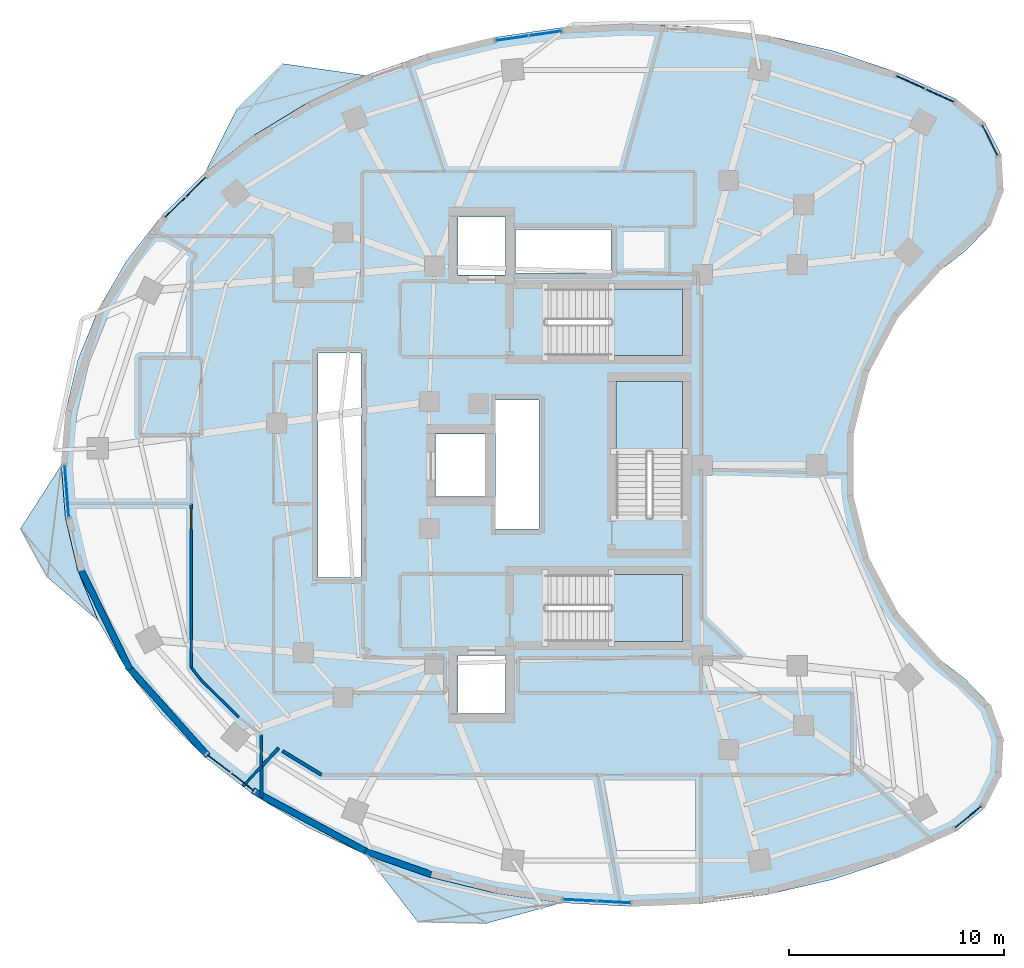
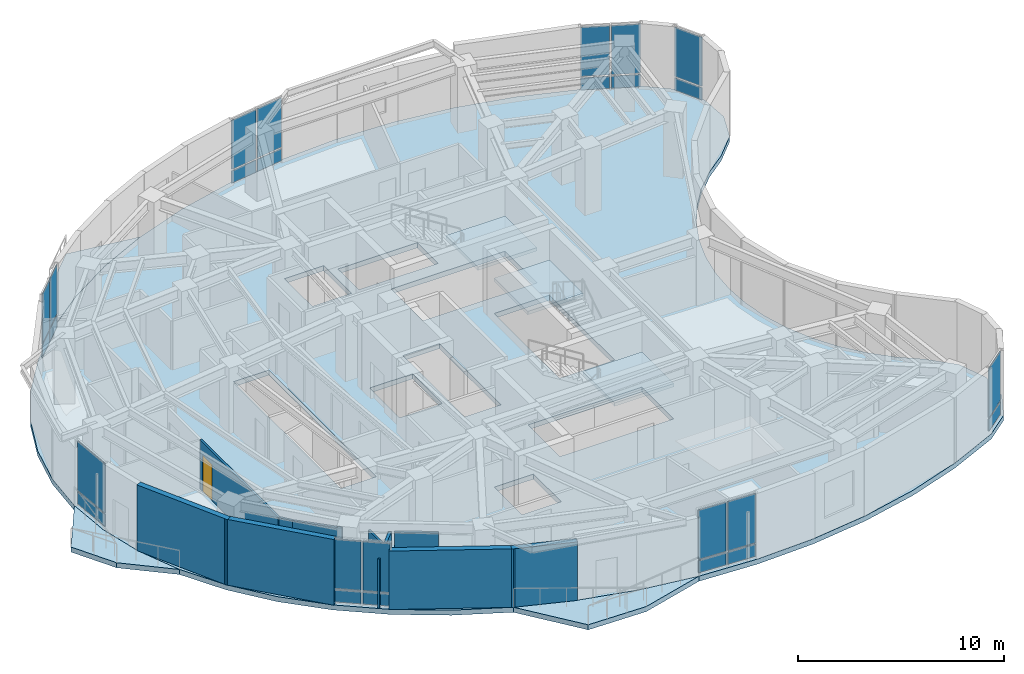
# One storey, part 6 of 13: 26 plates, 12 walls, 7 slabs, 1 door, 1 opening, 11 elements without a shape of their own.
"""IFC4 building model written with IfcOpenShell, lengths in metres."""

from ifc_helpers import new_model, si_unit, direction, frame, frame_2d, origin, origin_2d, place, context, subcontext, project, spatial, polyline, rectangle, outline, extrude, material, layer, layer_set, type_object, element, fill, aggregate, save


model = new_model("IFC4")

# Units and contexts
model_context = context("Model", 3, precision=1e-05, world=origin(), true_north=direction((0.0, 1.0)))
body_context = subcontext(model_context, "Body", "Model", "MODEL_VIEW")
ifc_project = project(units=[si_unit("LENGTHUNIT", "METRE"), si_unit("AREAUNIT", "SQUARE_METRE"), si_unit("VOLUMEUNIT", "CUBIC_METRE"), si_unit("PLANEANGLEUNIT", "RADIAN"), si_unit("MASSUNIT", "GRAM", prefix="KILO")], contexts=[model_context])

# Site, building, storey
site_placement = place(None, origin())
site = spatial("IfcSite", under=ifc_project, at=site_placement, CompositionType="ELEMENT")
building_placement = place(site_placement, origin())
building = spatial("IfcBuilding", under=site, at=building_placement, Name="Korentha Bioscience Tower", CompositionType="ELEMENT")
storey_placement = place(building_placement, frame((0.0, 0.0, 158.39990234375)))
storey = spatial("IfcBuildingStorey", under=building, at=storey_placement, Name="L36", CompositionType="ELEMENT", Elevation=158.39990234375)

# Curtain wall, plates
ifc_material_1 = material(Name="Thermally Broken Aluminium Frame", Category="aluminium")
ifc_layer_1 = layer(ifc_material_1, 0.219970703125, Name="Thermally Broken Aluminium Frame")
ifc_layer_set_1 = layer_set([ifc_layer_1], Name="Thermally Broken Aluminium Frame (CW-T1)")
curtain_wall_type = type_object("IfcCurtainWallType", Name="Standard Bioscience Lab Unitised Curtain Wall CW-T1", PredefinedType="USERDEFINED", material=ifc_layer_set_1)
curtain_wall_1_placement = place(storey_placement, origin())
curtain_wall_1 = element("IfcCurtainWall", 1, at=curtain_wall_1_placement, inside=storey, type_object=curtain_wall_type, Name="L36 Curtain Wall 01", ObjectType="UNITISED", PredefinedType="USERDEFINED")
ifc_material_2 = material(Name="Triple-Glazed Low-E Insulated Glass", Category="glass")
ifc_layer_2 = layer(ifc_material_2, 0.0439453125, Name="Triple-Glazed Low-E Insulated Glass")
ifc_layer_set_2 = layer_set([ifc_layer_2], Name="Triple-Glazed Low-E Insulated Glass (GL-44)")
plate_type = type_object("IfcPlateType", Name="Glazed Panel 44mm", PredefinedType="CURTAIN_PANEL", material=ifc_layer_set_2)
plate_1_placement = place(storey_placement, frame((48.625732421875, 44.190673828125, 0.08984375), z_axis=(0.0, 0.0, 1.0), x_axis=(-0.910644398392, 0.413190972406, 0.0)))
plate_1 = element("IfcPlate", 2, at=plate_1_placement, type_object=plate_type, Name="CW-L36-01 Bay 1 Glazed Panel 1", PredefinedType="CURTAIN_PANEL", context=body_context, shape_type="SweptSolid", body=[
    extrude(rectangle(XDim=1.422607421875, YDim=0.0439453125, at=origin_2d()), origin(), (0.0, 0.0, 1.0), 0.715087890625),
])
plate_2_placement = place(storey_placement, frame((48.625732421875, 44.190673828125, 0.89501953125), z_axis=(0.0, 0.0, 1.0), x_axis=(-0.910644398392, 0.413190972406, 0.0)))
plate_2 = element("IfcPlate", 3, at=plate_2_placement, type_object=plate_type, Name="CW-L36-01 Bay 1 Glazed Panel 2", PredefinedType="CURTAIN_PANEL", context=body_context, shape_type="SweptSolid", body=[
    extrude(rectangle(XDim=1.422607421875, YDim=0.0439453125, at=origin_2d()), origin(), (0.0, 0.0, 1.0), 2.9150390625),
])
plate_3_placement = place(storey_placement, frame((47.248291015625, 44.815673828125, 0.08984375), z_axis=(0.0, 0.0, 1.0), x_axis=(-0.910644398392, 0.413190972406, 0.0)))
plate_3 = element("IfcPlate", 4, at=plate_3_placement, type_object=plate_type, Name="CW-L36-01 Bay 2 Glazed Panel 1", PredefinedType="CURTAIN_PANEL", context=body_context, shape_type="SweptSolid", body=[
    extrude(rectangle(XDim=1.422607421875, YDim=0.0439453125, at=origin_2d()), origin(), (0.0, 0.0, 1.0), 0.715087890625),
])
plate_4_placement = place(storey_placement, frame((47.248291015625, 44.815673828125, 0.89501953125), z_axis=(0.0, 0.0, 1.0), x_axis=(-0.910644398392, 0.413190972406, 0.0)))
plate_4 = element("IfcPlate", 5, at=plate_4_placement, type_object=plate_type, Name="CW-L36-01 Bay 2 Glazed Panel 2", PredefinedType="CURTAIN_PANEL", context=body_context, shape_type="SweptSolid", body=[
    extrude(rectangle(XDim=1.422607421875, YDim=0.0439453125, at=origin_2d()), origin(), (0.0, 0.0, 1.0), 2.9150390625),
])
aggregate(curtain_wall_1, [plate_1, plate_2, plate_3, plate_4])

curtain_wall_2_placement = place(storey_placement, origin())
curtain_wall_2 = element("IfcCurtainWall", 6, at=curtain_wall_2_placement, inside=storey, type_object=curtain_wall_type, Name="L36 Curtain Wall 07", ObjectType="UNITISED", PredefinedType="USERDEFINED")
plate_5_placement = place(storey_placement, frame((30.27099609375, 47.090087890625, 0.08984375), z_axis=(0.0, 0.0, 1.0), x_axis=(-0.989461919888, -0.144793332342, 0.0)))
plate_5 = element("IfcPlate", 7, at=plate_5_placement, type_object=plate_type, Name="CW-L36-07 Bay 1 Glazed Panel 1", PredefinedType="CURTAIN_PANEL", context=body_context, shape_type="SweptSolid", body=[
    extrude(rectangle(XDim=1.498291015625, YDim=0.0439453125, at=origin_2d()), origin(), (0.0, 0.0, 1.0), 0.715087890625),
])
plate_6_placement = place(storey_placement, frame((30.27099609375, 47.090087890625, 0.89501953125), z_axis=(0.0, 0.0, 1.0), x_axis=(-0.989461919888, -0.144793332342, 0.0)))
plate_6 = element("IfcPlate", 8, at=plate_6_placement, type_object=plate_type, Name="CW-L36-07 Bay 1 Glazed Panel 2", PredefinedType="CURTAIN_PANEL", context=body_context, shape_type="SweptSolid", body=[
    extrude(rectangle(XDim=1.498291015625, YDim=0.0439453125, at=origin_2d()), origin(), (0.0, 0.0, 1.0), 2.9150390625),
])
plate_7_placement = place(storey_placement, frame((28.69921875, 46.860107421875, 0.08984375), z_axis=(0.0, 0.0, 1.0), x_axis=(-0.989461919888, -0.144793332342, 0.0)))
plate_7 = element("IfcPlate", 9, at=plate_7_placement, type_object=plate_type, Name="CW-L36-07 Bay 2 Glazed Panel 1", PredefinedType="CURTAIN_PANEL", context=body_context, shape_type="SweptSolid", body=[
    extrude(rectangle(XDim=1.498291015625, YDim=0.0439453125, at=origin_2d()), origin(), (0.0, 0.0, 1.0), 0.715087890625),
])
plate_8_placement = place(storey_placement, frame((28.69921875, 46.860107421875, 0.89501953125), z_axis=(0.0, 0.0, 1.0), x_axis=(-0.989461919888, -0.144793332342, 0.0)))
plate_8 = element("IfcPlate", 10, at=plate_8_placement, type_object=plate_type, Name="CW-L36-07 Bay 2 Glazed Panel 2", PredefinedType="CURTAIN_PANEL", context=body_context, shape_type="SweptSolid", body=[
    extrude(rectangle(XDim=1.498291015625, YDim=0.0439453125, at=origin_2d()), origin(), (0.0, 0.0, 1.0), 2.9150390625),
])
aggregate(curtain_wall_2, [plate_5, plate_6, plate_7, plate_8])

curtain_wall_3_placement = place(storey_placement, origin())
curtain_wall_3 = element("IfcCurtainWall", 11, at=curtain_wall_3_placement, inside=storey, type_object=curtain_wall_type, Name="L36 Curtain Wall 13", ObjectType="UNITISED", PredefinedType="USERDEFINED")
plate_9_placement = place(storey_placement, frame((14.00830078125, 39.957763671875, 0.08984375), z_axis=(0.0, 0.0, 1.0), x_axis=(-0.711460557971, -0.702726030862, 0.0)))
plate_9 = element("IfcPlate", 12, at=plate_9_placement, type_object=plate_type, Name="CW-L36-13 Bay 1 Glazed Panel 1", PredefinedType="CURTAIN_PANEL", context=body_context, shape_type="SweptSolid", body=[
    extrude(rectangle(XDim=1.290283203125, YDim=0.0439453125, at=origin_2d()), origin(), (0.0, 0.0, 1.0), 0.715087890625),
])
plate_10_placement = place(storey_placement, frame((14.00830078125, 39.957763671875, 0.89501953125), z_axis=(0.0, 0.0, 1.0), x_axis=(-0.711460557971, -0.702726030862, 0.0)))
plate_10 = element("IfcPlate", 13, at=plate_10_placement, type_object=plate_type, Name="CW-L36-13 Bay 1 Glazed Panel 2", PredefinedType="CURTAIN_PANEL", context=body_context, shape_type="SweptSolid", body=[
    extrude(rectangle(XDim=1.290283203125, YDim=0.0439453125, at=origin_2d()), origin(), (0.0, 0.0, 1.0), 2.9150390625),
])
plate_11_placement = place(storey_placement, frame((13.0263671875, 38.98779296875, 0.08984375), z_axis=(0.0, 0.0, 1.0), x_axis=(-0.711460557971, -0.702726030862, 0.0)))
plate_11 = element("IfcPlate", 14, at=plate_11_placement, type_object=plate_type, Name="CW-L36-13 Bay 2 Glazed Panel 1", PredefinedType="CURTAIN_PANEL", context=body_context, shape_type="SweptSolid", body=[
    extrude(rectangle(XDim=1.290283203125, YDim=0.0439453125, at=origin_2d()), origin(), (0.0, 0.0, 1.0), 0.715087890625),
])
plate_12_placement = place(storey_placement, frame((13.0263671875, 38.98779296875, 0.89501953125), z_axis=(0.0, 0.0, 1.0), x_axis=(-0.711460557971, -0.702726030862, 0.0)))
plate_12 = element("IfcPlate", 15, at=plate_12_placement, type_object=plate_type, Name="CW-L36-13 Bay 2 Glazed Panel 2", PredefinedType="CURTAIN_PANEL", context=body_context, shape_type="SweptSolid", body=[
    extrude(rectangle(XDim=1.290283203125, YDim=0.0439453125, at=origin_2d()), origin(), (0.0, 0.0, 1.0), 2.9150390625),
])
aggregate(curtain_wall_3, [plate_9, plate_10, plate_11, plate_12])

curtain_wall_4_placement = place(storey_placement, origin())
curtain_wall_4 = element("IfcCurtainWall", 16, at=curtain_wall_4_placement, inside=storey, type_object=curtain_wall_type, Name="L36 Curtain Wall 19", ObjectType="UNITISED", PredefinedType="USERDEFINED")
plate_13_placement = place(storey_placement, frame((7.991943359375, 25.781005859375, 0.08984375), z_axis=(0.0, 0.0, 1.0), x_axis=(0.078030772566, -0.996950950916, 0.0)))
plate_13 = element("IfcPlate", 17, at=plate_13_placement, type_object=plate_type, Name="CW-L36-19 Bay 1 Glazed Panel 1", PredefinedType="CURTAIN_PANEL", context=body_context, shape_type="SweptSolid", body=[
    extrude(rectangle(XDim=2.370361328125, YDim=0.0439453125, at=origin_2d()), origin(), (0.0, 0.0, 1.0), 0.715087890625),
])
plate_14_placement = place(storey_placement, frame((7.991943359375, 25.781005859375, 0.89501953125), z_axis=(0.0, 0.0, 1.0), x_axis=(0.078030772566, -0.996950950916, 0.0)))
plate_14 = element("IfcPlate", 18, at=plate_14_placement, type_object=plate_type, Name="CW-L36-19 Bay 1 Glazed Panel 2", PredefinedType="CURTAIN_PANEL", context=body_context, shape_type="SweptSolid", body=[
    extrude(rectangle(XDim=2.370361328125, YDim=0.0439453125, at=origin_2d()), origin(), (0.0, 0.0, 1.0), 2.9150390625),
])
aggregate(curtain_wall_4, [plate_13, plate_14])

curtain_wall_5_placement = place(storey_placement, origin())
curtain_wall_5 = element("IfcCurtainWall", 19, at=curtain_wall_5_placement, inside=storey, type_object=curtain_wall_type, Name="L36 Curtain Wall 25", ObjectType="UNITISED", PredefinedType="USERDEFINED")
plate_15_placement = place(storey_placement, frame((15.0556640625, 13.126953125, 0.08984375), z_axis=(0.0, 0.0, 1.0), x_axis=(0.790546796919, -0.612401634454, 0.0)))
plate_15 = element("IfcPlate", 20, at=plate_15_placement, type_object=plate_type, Name="CW-L36-25 Bay 1 Glazed Panel 1", PredefinedType="CURTAIN_PANEL", context=body_context, shape_type="SweptSolid", body=[
    extrude(rectangle(XDim=1.3349609375, YDim=0.0439453125, at=origin_2d()), origin(), (0.0, 0.0, 1.0), 0.715087890625),
])
plate_16_placement = place(storey_placement, frame((15.0556640625, 13.126953125, 0.89501953125), z_axis=(0.0, 0.0, 1.0), x_axis=(0.790546796919, -0.612401634454, 0.0)))
plate_16 = element("IfcPlate", 21, at=plate_16_placement, type_object=plate_type, Name="CW-L36-25 Bay 1 Glazed Panel 2", PredefinedType="CURTAIN_PANEL", context=body_context, shape_type="SweptSolid", body=[
    extrude(rectangle(XDim=1.3349609375, YDim=0.0439453125, at=origin_2d()), origin(), (0.0, 0.0, 1.0), 2.9150390625),
])
plate_17_placement = place(storey_placement, frame((16.18212890625, 12.25439453125, 0.08984375), z_axis=(0.0, 0.0, 1.0), x_axis=(0.790546796919, -0.612401634454, 0.0)))
plate_17 = element("IfcPlate", 22, at=plate_17_placement, type_object=plate_type, Name="CW-L36-25 Bay 2 Glazed Panel 1", PredefinedType="CURTAIN_PANEL", context=body_context, shape_type="SweptSolid", body=[
    extrude(rectangle(XDim=1.3349609375, YDim=0.0439453125, at=origin_2d()), origin(), (0.0, 0.0, 1.0), 0.715087890625),
])
plate_18_placement = place(storey_placement, frame((16.18212890625, 12.25439453125, 0.89501953125), z_axis=(0.0, 0.0, 1.0), x_axis=(0.790546796919, -0.612401634454, 0.0)))
plate_18 = element("IfcPlate", 23, at=plate_18_placement, type_object=plate_type, Name="CW-L36-25 Bay 2 Glazed Panel 2", PredefinedType="CURTAIN_PANEL", context=body_context, shape_type="SweptSolid", body=[
    extrude(rectangle(XDim=1.3349609375, YDim=0.0439453125, at=origin_2d()), origin(), (0.0, 0.0, 1.0), 2.9150390625),
])
aggregate(curtain_wall_5, [plate_15, plate_16, plate_17, plate_18])

curtain_wall_6_placement = place(storey_placement, origin())
curtain_wall_6 = element("IfcCurtainWall", 24, at=curtain_wall_6_placement, inside=storey, type_object=curtain_wall_type, Name="L36 Curtain Wall 31", ObjectType="UNITISED", PredefinedType="USERDEFINED")
plate_19_placement = place(storey_placement, frame((31.849853515625, 6.75390625, 0.08984375), z_axis=(0.0, 0.0, 1.0), x_axis=(0.998637677307, -0.052180355139, 0.0)))
plate_19 = element("IfcPlate", 25, at=plate_19_placement, type_object=plate_type, Name="CW-L36-31 Bay 1 Glazed Panel 1", PredefinedType="CURTAIN_PANEL", context=body_context, shape_type="SweptSolid", body=[
    extrude(rectangle(XDim=1.50830078125, YDim=0.0439453125, at=origin_2d()), origin(), (0.0, 0.0, 1.0), 0.715087890625),
])
plate_20_placement = place(storey_placement, frame((31.849853515625, 6.75390625, 0.89501953125), z_axis=(0.0, 0.0, 1.0), x_axis=(0.998637677307, -0.052180355139, 0.0)))
plate_20 = element("IfcPlate", 26, at=plate_20_placement, type_object=plate_type, Name="CW-L36-31 Bay 1 Glazed Panel 2", PredefinedType="CURTAIN_PANEL", context=body_context, shape_type="SweptSolid", body=[
    extrude(rectangle(XDim=1.50830078125, YDim=0.0439453125, at=origin_2d()), origin(), (0.0, 0.0, 1.0), 2.9150390625),
])
plate_21_placement = place(storey_placement, frame((33.446044921875, 6.67041015625, 0.08984375), z_axis=(0.0, 0.0, 1.0), x_axis=(0.998637677307, -0.052180355139, 0.0)))
plate_21 = element("IfcPlate", 27, at=plate_21_placement, type_object=plate_type, Name="CW-L36-31 Bay 2 Glazed Panel 1", PredefinedType="CURTAIN_PANEL", context=body_context, shape_type="SweptSolid", body=[
    extrude(rectangle(XDim=1.50830078125, YDim=0.0439453125, at=origin_2d()), origin(), (0.0, 0.0, 1.0), 0.715087890625),
])
plate_22_placement = place(storey_placement, frame((33.446044921875, 6.67041015625, 0.89501953125), z_axis=(0.0, 0.0, 1.0), x_axis=(0.998637677307, -0.052180355139, 0.0)))
plate_22 = element("IfcPlate", 28, at=plate_22_placement, type_object=plate_type, Name="CW-L36-31 Bay 2 Glazed Panel 2", PredefinedType="CURTAIN_PANEL", context=body_context, shape_type="SweptSolid", body=[
    extrude(rectangle(XDim=1.50830078125, YDim=0.0439453125, at=origin_2d()), origin(), (0.0, 0.0, 1.0), 2.9150390625),
])
aggregate(curtain_wall_6, [plate_19, plate_20, plate_21, plate_22])

curtain_wall_7_placement = place(storey_placement, origin())
curtain_wall_7 = element("IfcCurtainWall", 29, at=curtain_wall_7_placement, inside=storey, type_object=curtain_wall_type, Name="L36 Curtain Wall 37", ObjectType="UNITISED", PredefinedType="USERDEFINED")
plate_23_placement = place(storey_placement, frame((49.938720703125, 10.637451171875, 0.08984375), z_axis=(0.0, 0.0, 1.0), x_axis=(0.77425646139, 0.632871971251, 0.0)))
plate_23 = element("IfcPlate", 30, at=plate_23_placement, type_object=plate_type, Name="CW-L36-37 Bay 1 Glazed Panel 1", PredefinedType="CURTAIN_PANEL", context=body_context, shape_type="SweptSolid", body=[
    extrude(rectangle(XDim=1.591796875, YDim=0.0439453125, at=origin_2d()), origin(), (0.0, 0.0, 1.0), 0.715087890625),
])
plate_24_placement = place(storey_placement, frame((49.938720703125, 10.637451171875, 0.89501953125), z_axis=(0.0, 0.0, 1.0), x_axis=(0.77425646139, 0.632871971251, 0.0)))
plate_24 = element("IfcPlate", 31, at=plate_24_placement, type_object=plate_type, Name="CW-L36-37 Bay 1 Glazed Panel 2", PredefinedType="CURTAIN_PANEL", context=body_context, shape_type="SweptSolid", body=[
    extrude(rectangle(XDim=1.591796875, YDim=0.0439453125, at=origin_2d()), origin(), (0.0, 0.0, 1.0), 2.9150390625),
])
aggregate(curtain_wall_7, [plate_23, plate_24])

curtain_wall_8_placement = place(storey_placement, origin())
curtain_wall_8 = element("IfcCurtainWall", 32, at=curtain_wall_8_placement, inside=storey, type_object=curtain_wall_type, Name="L36 Curtain Wall 61", ObjectType="UNITISED", PredefinedType="USERDEFINED")
plate_25_placement = place(storey_placement, frame((50.936767578125, 42.124755859375, 0.08984375), z_axis=(0.0, 0.0, 1.0), x_axis=(-0.45428845847, 0.890854643868, 0.0)))
plate_25 = element("IfcPlate", 33, at=plate_25_placement, type_object=plate_type, Name="CW-L36-61 Bay 1 Glazed Panel 1", PredefinedType="CURTAIN_PANEL", context=body_context, shape_type="SweptSolid", body=[
    extrude(rectangle(XDim=1.591796875, YDim=0.0439453125, at=origin_2d()), origin(), (0.0, 0.0, 1.0), 0.715087890625),
])
plate_26_placement = place(storey_placement, frame((50.936767578125, 42.124755859375, 0.89501953125), z_axis=(0.0, 0.0, 1.0), x_axis=(-0.45428845847, 0.890854643868, 0.0)))
plate_26 = element("IfcPlate", 34, at=plate_26_placement, type_object=plate_type, Name="CW-L36-61 Bay 1 Glazed Panel 2", PredefinedType="CURTAIN_PANEL", context=body_context, shape_type="SweptSolid", body=[
    extrude(rectangle(XDim=1.591796875, YDim=0.0439453125, at=origin_2d()), origin(), (0.0, 0.0, 1.0), 2.9150390625),
])
aggregate(curtain_wall_8, [plate_25, plate_26])

# Slab
ifc_material_3 = material(Name="Concrete C50", Category="concrete")
ifc_layer_3 = layer(ifc_material_3, 0.300048828125, Name="Concrete C50")
ifc_layer_set_3 = layer_set([ifc_layer_3], Name="Concrete C50 (SL-L300)")
slab_type_1 = type_object("IfcSlabType", Name="Laboratory Vibration-Controlled Slab 300", PredefinedType="FLOOR", material=ifc_layer_set_3)
slab_1_placement = place(storey_placement, frame((0.0, 0.0, -0.2998046875)))
element("IfcSlab", 35, at=slab_1_placement, inside=storey, type_object=slab_type_1, Name="L36 Tower Structural Floor Slab", PredefinedType="FLOOR", context=body_context, shape_type="SweptSolid", body=[
    extrude(outline(polyline([(49.38525390625, 44.021728515625), (46.62109375, 45.27587890625), (43.681396484375, 46.266357421875), (40.608154296875, 46.978515625), (37.446044921875, 47.40234375), (34.24072265625, 47.531494140625), (31.038330078125, 47.364013671875), (27.88525390625, 46.902587890625), (24.826904296875, 46.154052734375), (21.907470703125, 45.128662109375), (19.169189453125, 43.841552734375), (16.6513671875, 42.311279296875), (14.390380859375, 40.56005859375), (12.419189453125, 38.613037109375), (10.76611328125, 36.498291015625), (9.454833984375, 34.246337890625), (8.504638671875, 31.889892578125), (7.9287109375, 29.462646484375), (7.736083984375, 27.0), (7.9287109375, 24.537353515625), (8.504638671875, 22.110107421875), (9.454833984375, 19.753662109375), (10.76611328125, 17.501708984375), (12.419189453125, 15.386962890625), (14.390380859375, 13.43994140625), (16.6513671875, 11.688720703125), (19.169189453125, 10.158447265625), (21.907470703125, 8.871337890625), (24.826904296875, 7.845947265625), (27.88525390625, 7.097412109375), (31.038330078125, 6.635986328125), (34.24072265625, 6.468505859375), (37.446044921875, 6.59765625), (40.608154296875, 7.021484375), (43.681396484375, 7.733642578125), (46.62109375, 8.72412109375), (49.38525390625, 9.978271484375), (50.695068359375, 11.048828125), (51.46337890625, 12.55615234375), (51.560791015625, 14.2451171875), (50.970458984375, 15.83056640625), (49.792236328125, 17.044677734375), (48.629150390625, 17.937255859375), (47.583251953125, 18.96484375), (46.670654296875, 20.1123046875), (45.904541015625, 21.3623046875), (45.29638671875, 22.696533203125), (44.855712890625, 24.094970703125), (44.58837890625, 25.53662109375), (44.498779296875, 27.0), (44.58837890625, 28.46337890625), (44.855712890625, 29.905029296875), (45.29638671875, 31.303466796875), (45.904541015625, 32.6376953125), (46.670654296875, 33.8876953125), (47.583251953125, 35.03515625), (48.629150390625, 36.062744140625), (49.792236328125, 36.955322265625), (50.970458984375, 38.16943359375), (51.560791015625, 39.7548828125), (51.46337890625, 41.44384765625), (50.695068359375, 42.951171875), (49.38525390625, 44.021728515625)]), holes=[polyline([(30.25, 32.10009765625), (36.64990234375, 32.10009765625), (36.64990234375, 35.199951171875), (30.25, 35.199951171875), (30.25, 32.10009765625)]), polyline([(30.25, 18.800048828125), (36.64990234375, 18.800048828125), (36.64990234375, 21.89990234375), (30.25, 21.89990234375), (30.25, 18.800048828125)]), polyline([(36.64990234375, 24.550048828125), (36.64990234375, 30.89990234375), (33.550048828125, 30.89990234375), (33.550048828125, 24.550048828125), (36.64990234375, 24.550048828125)]), polyline([(19.679931640625, 21.780029296875), (21.669921875, 21.780029296875), (21.669921875, 32.219970703125), (19.679931640625, 32.219970703125), (19.679931640625, 21.780029296875)]), polyline([(27.929931640625, 24.030029296875), (29.969970703125, 24.030029296875), (29.969970703125, 30.02001953125), (27.929931640625, 30.02001953125), (27.929931640625, 24.030029296875)]), polyline([(28.860107421875, 35.93994140625), (33.31005859375, 35.93994140625), (33.31005859375, 37.9599609375), (28.860107421875, 37.9599609375), (28.860107421875, 35.93994140625)]), polyline([(26.199951171875, 15.449951171875), (28.39990234375, 15.449951171875), (28.39990234375, 18.14990234375), (26.199951171875, 18.14990234375), (26.199951171875, 15.449951171875)]), polyline([(26.199951171875, 35.85009765625), (28.39990234375, 35.85009765625), (28.39990234375, 38.550048828125), (26.199951171875, 38.550048828125), (26.199951171875, 35.85009765625)]), polyline([(25.14990234375, 25.550048828125), (27.550048828125, 25.550048828125), (27.550048828125, 28.449951171875), (25.14990234375, 28.449951171875), (25.14990234375, 25.550048828125)])]), origin(), (0.0, 0.0, 1.0), 0.2998046875),
])

# Stair, slab
ifc_material_4 = material(Name="Precast Concrete C50", Category="concrete")
stair_type = type_object("IfcStairType", Name="Core Exit Dog-Leg Stair 1450", PredefinedType="HALF_TURN_STAIR", material=ifc_material_4)
stair_1_placement = place(storey_placement, origin())
stair_1 = element("IfcStair", 36, at=stair_1_placement, inside=storey, type_object=stair_type, Name="L36 Tower North Pressurized Exit Stair ST-1", PredefinedType="HALF_TURN_STAIR")
ifc_layer_4 = layer(ifc_material_3, 0.199951171875, Name="Concrete C50")
ifc_layer_set_4 = layer_set([ifc_layer_4], Name="Concrete C50 (SL-LND)")
slab_type_2 = type_object("IfcSlabType", Name="Landing Slab 200", PredefinedType="LANDING", material=ifc_layer_set_4)
slab_2_placement = place(storey_placement, frame((0.0, 0.0, 1.900146484375)))
slab_2 = element("IfcSlab", 37, at=slab_2_placement, type_object=slab_type_2, Name="ST-1 landing 1", PredefinedType="LANDING", context=body_context, shape_type="SweptSolid", body=[
    extrude(outline(polyline([(33.330078125, 32.10009765625), (36.64990234375, 32.10009765625), (36.64990234375, 35.199951171875), (33.330078125, 35.199951171875), (33.330078125, 32.10009765625)])), origin(), (0.0, 0.0, 1.0), 0.199951171875),
])
aggregate(stair_1, [slab_2])

stair_2_placement = place(storey_placement, origin())
stair_2 = element("IfcStair", 38, at=stair_2_placement, inside=storey, type_object=stair_type, Name="L36 Tower South Pressurized Exit Stair ST-2", PredefinedType="HALF_TURN_STAIR")
slab_3_placement = place(storey_placement, frame((0.0, 0.0, 1.900146484375)))
slab_3 = element("IfcSlab", 39, at=slab_3_placement, type_object=slab_type_2, Name="ST-2 landing 1", PredefinedType="LANDING", context=body_context, shape_type="SweptSolid", body=[
    extrude(outline(polyline([(33.330078125, 18.800048828125), (36.64990234375, 18.800048828125), (36.64990234375, 21.89990234375), (33.330078125, 21.89990234375), (33.330078125, 18.800048828125)])), origin(), (0.0, 0.0, 1.0), 0.199951171875),
])
aggregate(stair_2, [slab_3])

stair_3_placement = place(storey_placement, origin())
stair_3 = element("IfcStair", 40, at=stair_3_placement, inside=storey, type_object=stair_type, Name="L36 Tower Central Pressurized Exit Stair ST-3", PredefinedType="HALF_TURN_STAIR")
slab_4_placement = place(storey_placement, frame((0.0, 0.0, 1.900146484375)))
slab_4 = element("IfcSlab", 41, at=slab_4_placement, type_object=slab_type_2, Name="ST-3 landing 1", PredefinedType="LANDING", context=body_context, shape_type="SweptSolid", body=[
    extrude(outline(polyline([(36.64990234375, 27.6298828125), (36.64990234375, 30.89990234375), (33.550048828125, 30.89990234375), (33.550048828125, 27.6298828125), (36.64990234375, 27.6298828125)])), origin(), (0.0, 0.0, 1.0), 0.199951171875),
])
aggregate(stair_3, [slab_4])

# Slabs
ifc_layer_5 = layer(ifc_material_3, 0.300048828125, Name="Concrete C50")
ifc_layer_set_5 = layer_set([ifc_layer_5], Name="Concrete C50 (BS-240)")
slab_type_3 = type_object("IfcSlabType", Name="Sawtooth Sun-Ledge Balcony Slab 240", PredefinedType="USERDEFINED", material=ifc_layer_set_5)
slab_5_placement = place(storey_placement, frame((0.0, 0.0, -0.2998046875)))
element("IfcSlab", 42, at=slab_5_placement, inside=storey, type_object=slab_type_3, Name="L36 Sun-Ledge Balcony 01", ObjectType="BALCONY", PredefinedType="USERDEFINED", context=body_context, shape_type="SweptSolid", body=[
    extrude(outline(polyline([(14.390380859375, 40.56005859375), (16.6513671875, 42.311279296875), (19.169189453125, 43.841552734375), (21.907470703125, 45.128662109375), (18.052490234375, 45.678955078125), (15.898193359375, 43.550537109375), (14.390380859375, 40.56005859375)])), origin(), (0.0, 0.0, 1.0), 0.2998046875),
])
slab_6_placement = place(storey_placement, frame((0.0, 0.0, -0.2998046875)))
element("IfcSlab", 43, at=slab_6_placement, inside=storey, type_object=slab_type_3, Name="L36 Sun-Ledge Balcony 02", ObjectType="BALCONY", PredefinedType="USERDEFINED", context=body_context, shape_type="SweptSolid", body=[
    extrude(outline(polyline([(9.454833984375, 19.753662109375), (8.504638671875, 22.110107421875), (7.9287109375, 24.537353515625), (7.736083984375, 27.0), (5.8369140625, 24.041015625), (7.09375, 21.775390625), (9.454833984375, 19.753662109375)])), origin(), (0.0, 0.0, 1.0), 0.2998046875),
])
slab_7_placement = place(storey_placement, frame((0.0, 0.0, -0.2998046875)))
element("IfcSlab", 44, at=slab_7_placement, inside=storey, type_object=slab_type_3, Name="L36 Sun-Ledge Balcony 03", ObjectType="BALCONY", PredefinedType="USERDEFINED", context=body_context, shape_type="SweptSolid", body=[
    extrude(outline(polyline([(31.038330078125, 6.635986328125), (27.88525390625, 7.097412109375), (24.826904296875, 7.845947265625), (21.907470703125, 8.871337890625), (24.315673828125, 5.7578125), (27.54052734375, 5.68896484375), (31.038330078125, 6.635986328125)])), origin(), (0.0, 0.0, 1.0), 0.2998046875),
])

# Walls
ifc_material_5 = material(Name="Double-Stud Acoustic Gypsum", Category="gypsum")
ifc_layer_6 = layer(ifc_material_5, 0.14990234375, Name="Double-Stud Acoustic Gypsum")
ifc_layer_set_6 = layer_set([ifc_layer_6], Name="Double-Stud Acoustic Gypsum (IW-L150)")
wall_type_1 = type_object("IfcWallType", Name="Acoustic Laboratory Partition Wall 150", PredefinedType="PARTITIONING", material=ifc_layer_set_6)
wall_1_placement = place(storey_placement, frame((18.03125, 13.693603515625, 0.0), z_axis=(0.0, 0.0, 1.0), x_axis=(0.85454497186, -0.51937740716, 0.0)))
element("IfcWall", 45, at=wall_1_placement, inside=storey, type_object=wall_type_1, Name="L36 Interior Partition 036", PredefinedType="PARTITIONING", context=body_context, shape_type="SweptSolid", body=[
    extrude(rectangle(XDim=2.121826171875, YDim=0.14990234375, at=frame_2d((1.06103515625, 0.0))), origin(), (0.0, 0.0, 1.0), 2.91015625),
])
wall_2_placement = place(storey_placement, frame((17.052001953125, 11.514404296875, 0.0), z_axis=(0.0, 0.0, 1.0), x_axis=(0.0, 1.0, 0.0)))
element("IfcWall", 46, at=wall_2_placement, inside=storey, type_object=wall_type_1, Name="L36 Interior Partition 038", PredefinedType="PARTITIONING", context=body_context, shape_type="SweptSolid", body=[
    extrude(rectangle(XDim=1.459716796875, YDim=0.14990234375, at=frame_2d((0.72998046875, 0.0))), origin(), (0.0, 0.0, 1.0), 2.91015625),
])
wall_3_placement = place(storey_placement, frame((17.05810546875, 12.989501953125, 0.0), z_axis=(0.0, 0.0, 1.0), x_axis=(0.681994997266, 0.731356837464, 0.0)))
element("IfcWall", 47, at=wall_3_placement, inside=storey, type_object=wall_type_1, Name="L36 Interior Partition 039", PredefinedType="PARTITIONING", context=body_context, shape_type="SweptSolid", body=[
    extrude(rectangle(XDim=1.157470703125, YDim=0.14990234375, at=frame_2d((0.57861328125, 0.0))), origin(), (0.0, 0.0, 1.0), 2.91015625),
])

# Wall, opening, door
ifc_material_6 = material(Name="Fire-Rated Framed Glass", Category="glass")
ifc_layer_7 = layer(ifc_material_6, 0.110107421875, Name="Fire-Rated Framed Glass")
ifc_layer_set_7 = layer_set([ifc_layer_7], Name="Fire-Rated Framed Glass (IW-G110)")
wall_type_2 = type_object("IfcWallType", Name="Demountable Glazed Office Partition 110", PredefinedType="MOVABLE", material=ifc_layer_set_7)
wall_4_placement = place(storey_placement, frame((13.7900390625, 25.197998046875, 0.0), z_axis=(0.0, 0.0, 1.0), x_axis=(0.0, -1.0, 0.0)))
wall_4 = element("IfcWall", 48, at=wall_4_placement, inside=storey, type_object=wall_type_2, Name="L36 Principal Investigator Office 01 Entrance Wall", PredefinedType="MOVABLE", context=body_context, shape_type="SweptSolid", body=[
    extrude(rectangle(XDim=7.615478515625, YDim=0.110107421875, at=frame_2d((3.8076171875, 0.0))), origin(), (0.0, 0.0, 1.0), 2.91015625),
])
opening_placement = place(wall_4_placement, frame((0.239990234375, 0.0, 0.0)))
opening = element("IfcOpeningElement", 49, at=opening_placement, cuts=wall_4, Name="Opening ID-10R", PredefinedType="OPENING", context=body_context, shape_type="SweptSolid", body=[
    extrude(rectangle(XDim=0.949951171875, YDim=2.14990234375, at=frame_2d((0.47509765625, 1.074951171875))), frame((0.0, 0.06982421875, 0.0), z_axis=(0.0, -1.0, 0.0), x_axis=(1.0, 0.0, 0.0)), (0.0, 0.0, 1.0), 0.139892578125),
])
ifc_material_7 = material(Name="Phenolic Laminate Timber Core", Category="wood")
door_type = type_object("IfcDoorType", Name="Laboratory Single Leaf Door 950x2150 Right", OperationType="SINGLE_SWING_RIGHT", PredefinedType="DOOR", material=ifc_material_7)
door_placement = place(opening_placement, origin())
door = element("IfcDoor", 50, at=door_placement, inside=storey, type_object=door_type, Name="L36 Principal Investigator Office 01 Door", OperationType="SINGLE_SWING_RIGHT", OverallHeight=2.14990234375, OverallWidth=0.949951171875, PredefinedType="DOOR", context=body_context, shape_type="SweptSolid", body=[
    extrude(rectangle(XDim=0.949951171875, YDim=2.14990234375, at=frame_2d((0.47509765625, 1.074951171875))), frame((0.0, 0.02490234375, 0.0), z_axis=(0.0, -1.0, 0.0), x_axis=(1.0, 0.0, 0.0)), (0.0, 0.0, 1.0), 0.050048828125),
])
fill(opening, door)

# Walls
wall_5_placement = place(storey_placement, frame((13.7919921875, 17.576416015625, 0.0), z_axis=(0.0, 0.0, 1.0), x_axis=(0.615925776879, -0.787804187204, 0.0)))
element("IfcWall", 51, at=wall_5_placement, inside=storey, type_object=wall_type_2, Name="L36 Interior Partition 023", PredefinedType="MOVABLE", context=body_context, shape_type="SweptSolid", body=[
    extrude(rectangle(XDim=0.722900390625, YDim=0.110107421875, at=frame_2d((0.361328125, 0.0))), origin(), (0.0, 0.0, 1.0), 2.91015625),
])
wall_6_placement = place(storey_placement, frame((14.23828125, 17.005859375, 0.0), z_axis=(0.0, 0.0, 1.0), x_axis=(0.711447157113, -0.702739598027, 0.0)))
element("IfcWall", 52, at=wall_6_placement, inside=storey, type_object=wall_type_2, Name="L36 Interior Partition 024", PredefinedType="MOVABLE", context=body_context, shape_type="SweptSolid", body=[
    extrude(rectangle(XDim=2.46728515625, YDim=0.110107421875, at=frame_2d((1.233642578125, 0.0))), origin(), (0.0, 0.0, 1.0), 2.91015625),
])
wall_7_placement = place(storey_placement, frame((17.048095703125, 14.455078125, 0.0), z_axis=(0.0, 0.0, 1.0), x_axis=(0.0, -1.0, 0.0)))
element("IfcWall", 53, at=wall_7_placement, inside=storey, type_object=wall_type_2, Name="L36 Interior Partition 026", PredefinedType="MOVABLE", context=body_context, shape_type="SweptSolid", body=[
    extrude(rectangle(XDim=1.470458984375, YDim=0.110107421875, at=frame_2d((0.7353515625, 0.0))), origin(), (0.0, 0.0, 1.0), 2.91015625),
])
wall_8_placement = place(storey_placement, frame((17.0478515625, 12.984375, 0.0), z_axis=(0.0, 0.0, 1.0), x_axis=(-0.681894093702, -0.731450917679, 0.0)))
element("IfcWall", 54, at=wall_8_placement, inside=storey, type_object=wall_type_2, Name="L36 Interior Partition 027", PredefinedType="MOVABLE", context=body_context, shape_type="SweptSolid", body=[
    extrude(rectangle(XDim=1.251220703125, YDim=0.110107421875, at=frame_2d((0.62548828125, 0.0))), origin(), (0.0, 0.0, 1.0), 2.91015625),
])
ifc_material_8 = material(Name="Honed Limestone Precast Concrete C40", Category="masonry")
ifc_layer_8 = layer(ifc_material_8, 0.300048828125, Name="Honed Limestone Precast Concrete C40")
ifc_layer_set_8 = layer_set([ifc_layer_8], Name="Honed Limestone Precast Concrete C40 (EW-ST300)")
wall_type_3 = type_object("IfcWallType", Name="Honed Limestone Cavity Spandrel Wall 300", PredefinedType="STANDARD", material=ifc_layer_set_8)
wall_9_placement = place(storey_placement, frame((8.594970703125, 22.24365234375, 0.0), z_axis=(0.0, 0.0, 1.0), x_axis=(0.440559663002, -0.897723333403, 0.0)))
element("IfcWall", 55, at=wall_9_placement, inside=storey, type_object=wall_type_3, Name="L36 Limestone Perimeter Closure Wall 21", PredefinedType="STANDARD", context=body_context, shape_type="SweptSolid", body=[
    extrude(rectangle(XDim=5.29345703125, YDim=0.300048828125, at=frame_2d((2.646728515625, 0.0))), origin(), (0.0, 0.0, 1.0), 3.900146484375),
])
wall_10_placement = place(storey_placement, frame((10.8173828125, 17.654541015625, 0.0), z_axis=(0.0, 0.0, 1.0), x_axis=(0.665771576384, -0.74615561921, 0.0)))
element("IfcWall", 56, at=wall_10_placement, inside=storey, type_object=wall_type_3, Name="L36 Limestone Perimeter Closure Wall 23", PredefinedType="STANDARD", context=body_context, shape_type="SweptSolid", body=[
    extrude(rectangle(XDim=5.603515625, YDim=0.300048828125, at=frame_2d((2.8017578125, 0.0))), origin(), (0.0, 0.0, 1.0), 3.900146484375),
])
wall_11_placement = place(storey_placement, frame((16.64697265625, 11.849853515625, 0.0), z_axis=(0.0, 0.0, 1.0), x_axis=(0.881364369565, -0.472437136624, 0.0)))
element("IfcWall", 57, at=wall_11_placement, inside=storey, type_object=wall_type_3, Name="L36 Limestone Perimeter Closure Wall 26", PredefinedType="STANDARD", context=body_context, shape_type="SweptSolid", body=[
    extrude(rectangle(XDim=6.123779296875, YDim=0.300048828125, at=frame_2d((3.06201171875, 0.0))), origin(), (0.0, 0.0, 1.0), 3.47021484375),
])
wall_12_placement = place(storey_placement, frame((21.87841796875, 9.02978515625, 0.0), z_axis=(0.0, 0.0, 1.0), x_axis=(0.94352100271, -0.331312718509, 0.0)))
element("IfcWall", 58, at=wall_12_placement, inside=storey, type_object=wall_type_3, Name="L36 Limestone Perimeter Closure Wall 28", PredefinedType="STANDARD", context=body_context, shape_type="SweptSolid", body=[
    extrude(rectangle(XDim=3.254150390625, YDim=0.300048828125, at=frame_2d((1.626953125, 0.0))), origin(), (0.0, 0.0, 1.0), 3.47021484375),
])

save(model, "model.ifc")
